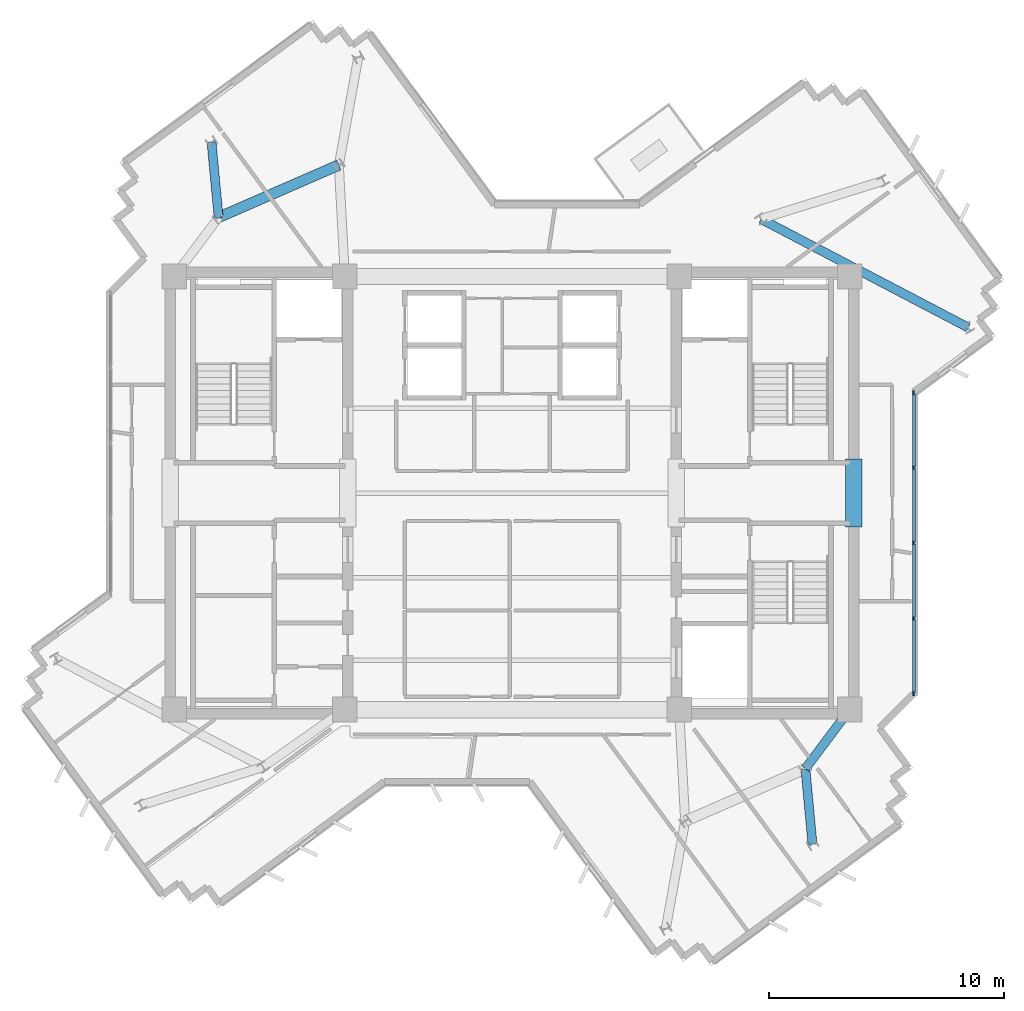
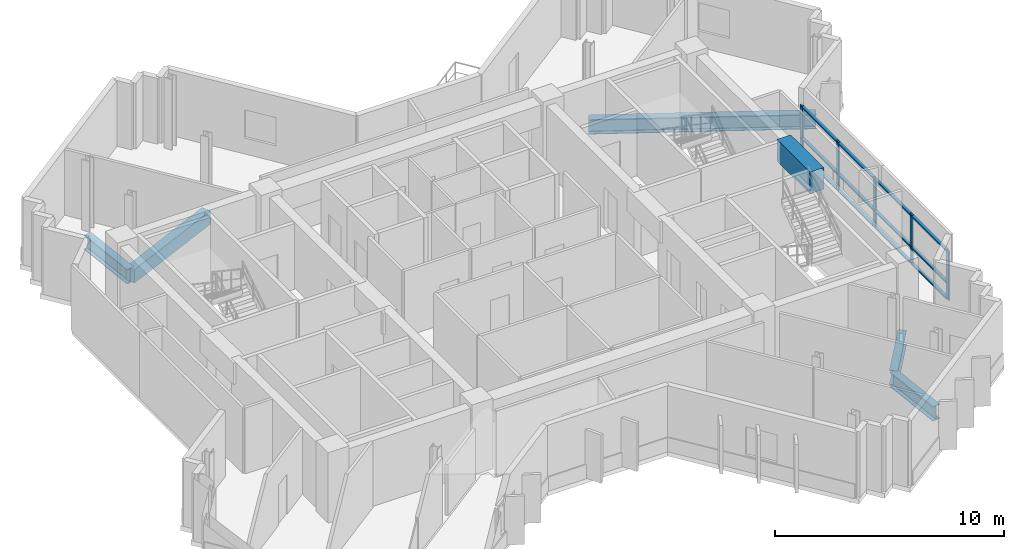
# One storey, part 4 of 13: 17 members, 6 beams, 1 element without a shape of its own.
"""IFC4 building model written with IfcOpenShell, lengths in metres."""

from ifc_helpers import new_model, si_unit, direction, frame, origin, origin_2d, place, context, subcontext, project, spatial, rectangle, i_section, extrude, source, transform, mapped, material, layer, layer_set, material_profile, profile_set, type_object, element, aggregate, save


model = new_model("IFC4")

# Units and contexts
model_context = context("Model", 3, precision=1e-05, world=origin(), true_north=direction((0.0, 1.0)))
body_context = subcontext(model_context, "Body", "Model", "MODEL_VIEW")
ifc_project = project(units=[si_unit("LENGTHUNIT", "METRE"), si_unit("AREAUNIT", "SQUARE_METRE"), si_unit("VOLUMEUNIT", "CUBIC_METRE"), si_unit("PLANEANGLEUNIT", "RADIAN"), si_unit("MASSUNIT", "GRAM", prefix="KILO")], contexts=[model_context])

# Site, building, storey
site_placement = place(None, origin())
site = spatial("IfcSite", under=ifc_project, at=site_placement, CompositionType="ELEMENT")
building_placement = place(site_placement, origin())
building = spatial("IfcBuilding", under=site, at=building_placement, Name="Zahravan Cultural Tower", CompositionType="ELEMENT")
storey_placement = place(building_placement, frame((0.0, 0.0, 272.85009765625)))
storey = spatial("IfcBuildingStorey", under=building, at=storey_placement, Name="L65", CompositionType="ELEMENT", Elevation=272.85009765625)

# Beams
ifc_material_1 = material(Name="Concrete C50/60", Category="concrete")
ifc_material_profile_1 = material_profile(ifc_material_1, rectangle(XDim=0.699951171875, YDim=1.14990234375, at=origin_2d()), Name="RC700X1150")
ifc_profile_set_1 = profile_set([ifc_material_profile_1], Name="Concrete C50/60")
beam_type_1 = type_object("IfcBeamType", Name="BM-LN-RC700X1150", PredefinedType="LINTEL", material=ifc_profile_set_1)
shared_shape_1 = source(origin(), body_context, "Body", "SweptSolid", [
    extrude(rectangle(XDim=0.699951171875, YDim=1.14990234375, at=origin_2d()), origin(), (0.0, 0.0, 1.0), 2.89990234375),
])
beam_1_placement = place(storey_placement, frame((50.52490234375, 25.550048828125, 2.9248046875), z_axis=(0.0, 1.0, 0.0), x_axis=(-1.0, 0.0, 0.0)))
element("IfcBeam", 1, at=beam_1_placement, inside=storey, type_object=beam_type_1, Name="L65 Beam LN-L65-PEE", PredefinedType="LINTEL", context=body_context, shape_type="MappedRepresentation", body=[
    mapped(shared_shape_1, transform((0.0, 0.0, 0.0), x_axis=(1.0, 0.0, 0.0), y_axis=(0.0, 1.0, 0.0), z_axis=(0.0, 0.0, 1.0), scale=1.0)),
])
ifc_material_2 = material(Name="Concrete C45/55", Category="concrete")
ifc_material_profile_2 = material_profile(ifc_material_2, rectangle(XDim=0.449951171875, YDim=0.719970703125, at=origin_2d()), Name="RC450X720")
ifc_profile_set_2 = profile_set([ifc_material_profile_2], Name="Concrete C45/55")
beam_type_2 = type_object("IfcBeamType", Name="BM-SP-RC450X720", PredefinedType="SPANDREL", material=ifc_profile_set_2)
shared_shape_2 = source(origin(), body_context, "Body", "SweptSolid", [
    extrude(rectangle(XDim=0.449951171875, YDim=0.719970703125, at=origin_2d()), origin(), (0.0, 0.0, 1.0), 5.570556640625),
])
beam_2_placement = place(storey_placement, frame((28.642578125, 40.937255859375, -0.610107421875), z_axis=(-0.9166445026, -0.399703459896, 0.0), x_axis=(0.399703459896, -0.9166445026, 0.0)))
element("IfcBeam", 2, at=beam_2_placement, inside=storey, type_object=beam_type_2, Name="L65 Beam SP-L65-21", PredefinedType="SPANDREL", context=body_context, shape_type="MappedRepresentation", body=[
    mapped(shared_shape_2, transform((0.0, 0.0, 0.0), x_axis=(1.0, 0.0, 0.0), y_axis=(0.0, 1.0, 0.0), z_axis=(0.0, 0.0, 1.0), scale=1.0)),
])
ifc_material_3 = material(Name="Steel ASTM A992 Grade 50", Category="steel")
ifc_material_profile_3 = material_profile(ifc_material_3, i_section(OverallWidth=0.382080078125, OverallDepth=0.779052734375, WebThickness=0.01806640625, FlangeThickness=0.030029296875, FilletRadius=0.01904296875, at=origin_2d()), Name="W30X191")
ifc_profile_set_3 = profile_set([ifc_material_profile_3], Name="Steel ASTM A992 Grade 50")
beam_type_3 = type_object("IfcBeamType", Name="BM-G-W30X191", PredefinedType="BEAM", material=ifc_profile_set_3)
shared_shape_3 = source(origin(), body_context, "Body", "SweptSolid", [
    extrude(i_section(OverallWidth=0.382080078125, OverallDepth=0.779052734375, WebThickness=0.01806640625, FlangeThickness=0.030029296875, FilletRadius=0.01904296875, at=origin_2d()), origin(), (0.0, 0.0, 1.0), 3.140380859375),
])
beam_3_placement = place(storey_placement, frame((50.35009765625, 17.800048828125, -0.6396484375), z_axis=(-0.600696322208, -0.799477284534, 0.0), x_axis=(0.799477284534, -0.600696322208, 0.0)))
element("IfcBeam", 3, at=beam_3_placement, inside=storey, type_object=beam_type_3, Name="L65 Beam BG-L65-09", PredefinedType="BEAM", context=body_context, shape_type="MappedRepresentation", body=[
    mapped(shared_shape_3, transform((0.0, 0.0, 0.0), x_axis=(1.0, 0.0, 0.0), y_axis=(0.0, 1.0, 0.0), z_axis=(0.0, 0.0, 1.0), scale=1.0)),
])
shared_shape_4 = source(origin(), body_context, "Body", "SweptSolid", [
    extrude(i_section(OverallWidth=0.382080078125, OverallDepth=0.779052734375, WebThickness=0.01806640625, FlangeThickness=0.030029296875, FilletRadius=0.01904296875, at=origin_2d()), origin(), (0.0, 0.0, 1.0), 9.935791015625),
])
beam_4_placement = place(storey_placement, frame((46.577880859375, 38.640625, -0.6396484375), z_axis=(0.885932031042, -0.463815088558, 0.0), x_axis=(0.463815088558, 0.885932031042, 0.0)))
element("IfcBeam", 4, at=beam_4_placement, inside=storey, type_object=beam_type_3, Name="L65 Beam BG-L65-12", PredefinedType="BEAM", context=body_context, shape_type="MappedRepresentation", body=[
    mapped(shared_shape_4, transform((0.0, 0.0, 0.0), x_axis=(1.0, 0.0, 0.0), y_axis=(0.0, 1.0, 0.0), z_axis=(0.0, 0.0, 1.0), scale=1.0)),
])
shared_shape_5 = source(origin(), body_context, "Body", "SweptSolid", [
    extrude(i_section(OverallWidth=0.382080078125, OverallDepth=0.779052734375, WebThickness=0.01806640625, FlangeThickness=0.030029296875, FilletRadius=0.01904296875, at=origin_2d()), origin(), (0.0, 0.0, 1.0), 3.218017578125),
])
for number, where, z_axis, x_axis, name in (
    (5, (23.536376953125, 38.710693359375, -0.6396484375), (-0.094454641962, 0.995529166128, 0.0), (-0.995529166128, -0.094454641962, 0.0), "L65 Beam BG-L65-15"),
    (6, (48.463623046875, 15.289306640625, -0.6396484375), (0.094454641962, -0.995529166128, 0.0), (0.995529166128, 0.094454641962, 0.0), "L65 Beam BG-L65-19"),
):
    element("IfcBeam", number, at=place(storey_placement, frame(where, z_axis=z_axis, x_axis=x_axis)), inside=storey, type_object=beam_type_3, Name=name, PredefinedType="BEAM", context=body_context, shape_type="MappedRepresentation", body=[
        mapped(shared_shape_5, transform((0.0, 0.0, 0.0), x_axis=(1.0, 0.0, 0.0), y_axis=(0.0, 1.0, 0.0), z_axis=(0.0, 0.0, 1.0), scale=1.0)),
    ])

# Curtain wall, members
ifc_material_4 = material(Name="Anodised bronze-aluminium mullion", Category="aluminium")
ifc_layer = layer(ifc_material_4, 0.199951171875)
ifc_layer_set = layer_set([ifc_layer], Name="Anodised bronze-aluminium mullion")
curtain_wall_type = type_object("IfcCurtainWallType", Name="CW-SYS-2", PredefinedType="USERDEFINED", material=ifc_layer_set)
curtain_wall_placement = place(storey_placement, origin())
curtain_wall = element("IfcCurtainWall", 7, at=curtain_wall_placement, inside=storey, type_object=curtain_wall_type, Name="L65 Recessed Curtain Wall CW-2.1", ObjectType="RECESSED GLAZING", PredefinedType="USERDEFINED")
ifc_material_profile_4 = material_profile(ifc_material_4, rectangle(XDim=0.074951171875, YDim=0.199951171875, at=origin_2d()), Name="AL-M75X200")
ifc_profile_set_4 = profile_set([ifc_material_profile_4], Name="Anodised bronze-aluminium mullion")
member_type_1 = type_object("IfcMemberType", Name="CWM-CW-2", PredefinedType="MULLION", material=ifc_profile_set_4)
shared_shape_6 = source(origin(), body_context, "Body", "SweptSolid", [
    extrude(rectangle(XDim=0.074951171875, YDim=0.199951171875, at=origin_2d()), origin(), (0.0, 0.0, 1.0), 2.619873046875),
])
member_1_placement = place(storey_placement, frame((53.06005859375, 31.248291015625, 0.0), z_axis=(0.0, 0.0, 1.0), x_axis=(1.0, 0.0, 0.0)))
member_1 = element("IfcMember", 8, at=member_1_placement, type_object=member_type_1, Name="CW-2 mullion 1", PredefinedType="MULLION", context=body_context, shape_type="MappedRepresentation", body=[
    mapped(shared_shape_6, transform((0.0, 0.0, 0.0), x_axis=(1.0, 0.0, 0.0), y_axis=(0.0, 1.0, 0.0), z_axis=(0.0, 0.0, 1.0), scale=1.0)),
])
member_2_placement = place(storey_placement, frame((53.06005859375, 28.078857421875, 0.0), z_axis=(0.0, 0.0, 1.0), x_axis=(1.0, 0.0, 0.0)))
member_2 = element("IfcMember", 9, at=member_2_placement, type_object=member_type_1, Name="CW-2 mullion 2", PredefinedType="MULLION", context=body_context, shape_type="MappedRepresentation", body=[
    mapped(shared_shape_6, transform((0.0, 0.0, 0.0), x_axis=(1.0, 0.0, 0.0), y_axis=(0.0, 1.0, 0.0), z_axis=(0.0, 0.0, 1.0), scale=1.0)),
])
member_3_placement = place(storey_placement, frame((53.06005859375, 24.871826171875, 0.0), z_axis=(0.0, 0.0, 1.0), x_axis=(1.0, 0.0, 0.0)))
member_3 = element("IfcMember", 10, at=member_3_placement, type_object=member_type_1, Name="CW-2 mullion 3", PredefinedType="MULLION", context=body_context, shape_type="MappedRepresentation", body=[
    mapped(shared_shape_6, transform((0.0, 0.0, 0.0), x_axis=(1.0, 0.0, 0.0), y_axis=(0.0, 1.0, 0.0), z_axis=(0.0, 0.0, 1.0), scale=1.0)),
])
member_4_placement = place(storey_placement, frame((53.06005859375, 21.6650390625, 0.0), z_axis=(0.0, 0.0, 1.0), x_axis=(1.0, 0.0, 0.0)))
member_4 = element("IfcMember", 11, at=member_4_placement, type_object=member_type_1, Name="CW-2 mullion 4", PredefinedType="MULLION", context=body_context, shape_type="MappedRepresentation", body=[
    mapped(shared_shape_6, transform((0.0, 0.0, 0.0), x_axis=(1.0, 0.0, 0.0), y_axis=(0.0, 1.0, 0.0), z_axis=(0.0, 0.0, 1.0), scale=1.0)),
])
member_5_placement = place(storey_placement, frame((53.06005859375, 18.49560546875, 0.0), z_axis=(0.0, 0.0, 1.0), x_axis=(1.0, 0.0, 0.0)))
member_5 = element("IfcMember", 12, at=member_5_placement, type_object=member_type_1, Name="CW-2 mullion 5", PredefinedType="MULLION", context=body_context, shape_type="MappedRepresentation", body=[
    mapped(shared_shape_6, transform((0.0, 0.0, 0.0), x_axis=(1.0, 0.0, 0.0), y_axis=(0.0, 1.0, 0.0), z_axis=(0.0, 0.0, 1.0), scale=1.0)),
])
ifc_material_profile_5 = material_profile(ifc_material_4, rectangle(XDim=0.14990234375, YDim=0.074951171875, at=origin_2d()), Name="AL-T75X150")
ifc_profile_set_5 = profile_set([ifc_material_profile_5], Name="Anodised bronze-aluminium mullion")
member_type_2 = type_object("IfcMemberType", Name="CWT-CW-2", PredefinedType="USERDEFINED", material=ifc_profile_set_5)
shared_shape_7 = source(origin(), body_context, "Body", "SweptSolid", [
    extrude(rectangle(XDim=0.14990234375, YDim=0.074951171875, at=origin_2d()), origin(), (0.0, 0.0, 1.0), 3.094482421875),
])
member_6_placement = place(storey_placement, frame((53.06005859375, 31.210693359375, 0.037353515625), z_axis=(0.0, -1.0, 0.0), x_axis=(1.0, 0.0, 0.0)))
member_6 = element("IfcMember", 13, at=member_6_placement, type_object=member_type_2, Name="CW-2 transom 1.1", ObjectType="TRANSOM", PredefinedType="USERDEFINED", context=body_context, shape_type="MappedRepresentation", body=[
    mapped(shared_shape_7, transform((0.0, 0.0, 0.0), x_axis=(1.0, 0.0, 0.0), y_axis=(0.0, 1.0, 0.0), z_axis=(0.0, 0.0, 1.0), scale=1.0)),
])
member_7_placement = place(storey_placement, frame((53.06005859375, 31.210693359375, 0.89990234375), z_axis=(0.0, -1.0, 0.0), x_axis=(1.0, 0.0, 0.0)))
member_7 = element("IfcMember", 14, at=member_7_placement, type_object=member_type_2, Name="CW-2 transom 1.2", ObjectType="TRANSOM", PredefinedType="USERDEFINED", context=body_context, shape_type="MappedRepresentation", body=[
    mapped(shared_shape_7, transform((0.0, 0.0, 0.0), x_axis=(1.0, 0.0, 0.0), y_axis=(0.0, 1.0, 0.0), z_axis=(0.0, 0.0, 1.0), scale=1.0)),
])
member_8_placement = place(storey_placement, frame((53.06005859375, 31.210693359375, 2.58251953125), z_axis=(0.0, -1.0, 0.0), x_axis=(1.0, 0.0, 0.0)))
member_8 = element("IfcMember", 15, at=member_8_placement, type_object=member_type_2, Name="CW-2 transom 1.3", ObjectType="TRANSOM", PredefinedType="USERDEFINED", context=body_context, shape_type="MappedRepresentation", body=[
    mapped(shared_shape_7, transform((0.0, 0.0, 0.0), x_axis=(1.0, 0.0, 0.0), y_axis=(0.0, 1.0, 0.0), z_axis=(0.0, 0.0, 1.0), scale=1.0)),
])
member_9_placement = place(storey_placement, frame((53.06005859375, 21.62744140625, 0.037353515625), z_axis=(0.0, -1.0, 0.0), x_axis=(1.0, 0.0, 0.0)))
member_9 = element("IfcMember", 16, at=member_9_placement, type_object=member_type_2, Name="CW-2 transom 4.1", ObjectType="TRANSOM", PredefinedType="USERDEFINED", context=body_context, shape_type="MappedRepresentation", body=[
    mapped(shared_shape_7, transform((0.0, 0.0, 0.0), x_axis=(1.0, 0.0, 0.0), y_axis=(0.0, 1.0, 0.0), z_axis=(0.0, 0.0, 1.0), scale=1.0)),
])
member_10_placement = place(storey_placement, frame((53.06005859375, 21.62744140625, 0.89990234375), z_axis=(0.0, -1.0, 0.0), x_axis=(1.0, 0.0, 0.0)))
member_10 = element("IfcMember", 17, at=member_10_placement, type_object=member_type_2, Name="CW-2 transom 4.2", ObjectType="TRANSOM", PredefinedType="USERDEFINED", context=body_context, shape_type="MappedRepresentation", body=[
    mapped(shared_shape_7, transform((0.0, 0.0, 0.0), x_axis=(1.0, 0.0, 0.0), y_axis=(0.0, 1.0, 0.0), z_axis=(0.0, 0.0, 1.0), scale=1.0)),
])
member_11_placement = place(storey_placement, frame((53.06005859375, 21.62744140625, 2.58251953125), z_axis=(0.0, -1.0, 0.0), x_axis=(1.0, 0.0, 0.0)))
member_11 = element("IfcMember", 18, at=member_11_placement, type_object=member_type_2, Name="CW-2 transom 4.3", ObjectType="TRANSOM", PredefinedType="USERDEFINED", context=body_context, shape_type="MappedRepresentation", body=[
    mapped(shared_shape_7, transform((0.0, 0.0, 0.0), x_axis=(1.0, 0.0, 0.0), y_axis=(0.0, 1.0, 0.0), z_axis=(0.0, 0.0, 1.0), scale=1.0)),
])
shared_shape_8 = source(origin(), body_context, "Body", "SweptSolid", [
    extrude(rectangle(XDim=0.14990234375, YDim=0.074951171875, at=origin_2d()), origin(), (0.0, 0.0, 1.0), 3.1318359375),
])
member_12_placement = place(storey_placement, frame((53.06005859375, 28.041259765625, 0.037353515625), z_axis=(0.0, -1.0, 0.0), x_axis=(1.0, 0.0, 0.0)))
member_12 = element("IfcMember", 19, at=member_12_placement, type_object=member_type_2, Name="CW-2 transom 2.1", ObjectType="TRANSOM", PredefinedType="USERDEFINED", context=body_context, shape_type="MappedRepresentation", body=[
    mapped(shared_shape_8, transform((0.0, 0.0, 0.0), x_axis=(1.0, 0.0, 0.0), y_axis=(0.0, 1.0, 0.0), z_axis=(0.0, 0.0, 1.0), scale=1.0)),
])
member_13_placement = place(storey_placement, frame((53.06005859375, 28.041259765625, 0.89990234375), z_axis=(0.0, -1.0, 0.0), x_axis=(1.0, 0.0, 0.0)))
member_13 = element("IfcMember", 20, at=member_13_placement, type_object=member_type_2, Name="CW-2 transom 2.2", ObjectType="TRANSOM", PredefinedType="USERDEFINED", context=body_context, shape_type="MappedRepresentation", body=[
    mapped(shared_shape_8, transform((0.0, 0.0, 0.0), x_axis=(1.0, 0.0, 0.0), y_axis=(0.0, 1.0, 0.0), z_axis=(0.0, 0.0, 1.0), scale=1.0)),
])
member_14_placement = place(storey_placement, frame((53.06005859375, 28.041259765625, 2.58251953125), z_axis=(0.0, -1.0, 0.0), x_axis=(1.0, 0.0, 0.0)))
member_14 = element("IfcMember", 21, at=member_14_placement, type_object=member_type_2, Name="CW-2 transom 2.3", ObjectType="TRANSOM", PredefinedType="USERDEFINED", context=body_context, shape_type="MappedRepresentation", body=[
    mapped(shared_shape_8, transform((0.0, 0.0, 0.0), x_axis=(1.0, 0.0, 0.0), y_axis=(0.0, 1.0, 0.0), z_axis=(0.0, 0.0, 1.0), scale=1.0)),
])
member_15_placement = place(storey_placement, frame((53.06005859375, 24.834228515625, 0.037353515625), z_axis=(0.0, -1.0, 0.0), x_axis=(1.0, 0.0, 0.0)))
member_15 = element("IfcMember", 22, at=member_15_placement, type_object=member_type_2, Name="CW-2 transom 3.1", ObjectType="TRANSOM", PredefinedType="USERDEFINED", context=body_context, shape_type="MappedRepresentation", body=[
    mapped(shared_shape_8, transform((0.0, 0.0, 0.0), x_axis=(1.0, 0.0, 0.0), y_axis=(0.0, 1.0, 0.0), z_axis=(0.0, 0.0, 1.0), scale=1.0)),
])
member_16_placement = place(storey_placement, frame((53.06005859375, 24.834228515625, 0.89990234375), z_axis=(0.0, -1.0, 0.0), x_axis=(1.0, 0.0, 0.0)))
member_16 = element("IfcMember", 23, at=member_16_placement, type_object=member_type_2, Name="CW-2 transom 3.2", ObjectType="TRANSOM", PredefinedType="USERDEFINED", context=body_context, shape_type="MappedRepresentation", body=[
    mapped(shared_shape_8, transform((0.0, 0.0, 0.0), x_axis=(1.0, 0.0, 0.0), y_axis=(0.0, 1.0, 0.0), z_axis=(0.0, 0.0, 1.0), scale=1.0)),
])
member_17_placement = place(storey_placement, frame((53.06005859375, 24.834228515625, 2.58251953125), z_axis=(0.0, -1.0, 0.0), x_axis=(1.0, 0.0, 0.0)))
member_17 = element("IfcMember", 24, at=member_17_placement, type_object=member_type_2, Name="CW-2 transom 3.3", ObjectType="TRANSOM", PredefinedType="USERDEFINED", context=body_context, shape_type="MappedRepresentation", body=[
    mapped(shared_shape_8, transform((0.0, 0.0, 0.0), x_axis=(1.0, 0.0, 0.0), y_axis=(0.0, 1.0, 0.0), z_axis=(0.0, 0.0, 1.0), scale=1.0)),
])
aggregate(curtain_wall, [member_1, member_2, member_3, member_4, member_5, member_6, member_7, member_8, member_12, member_13, member_14, member_15, member_16, member_17, member_9, member_10, member_11])

save(model, "model.ifc")
